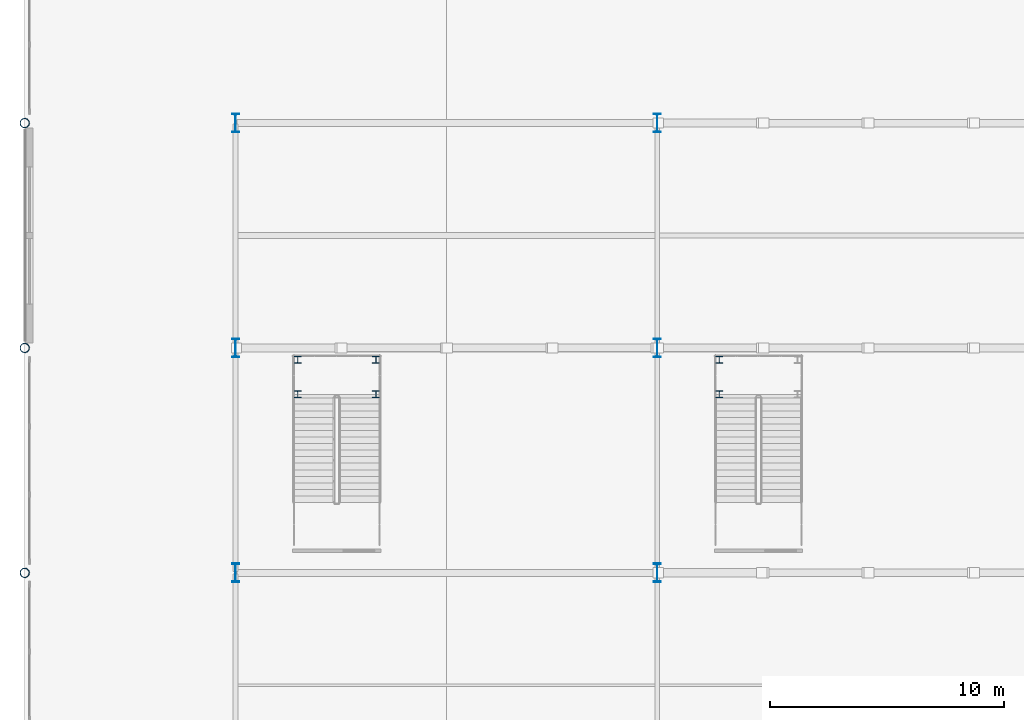
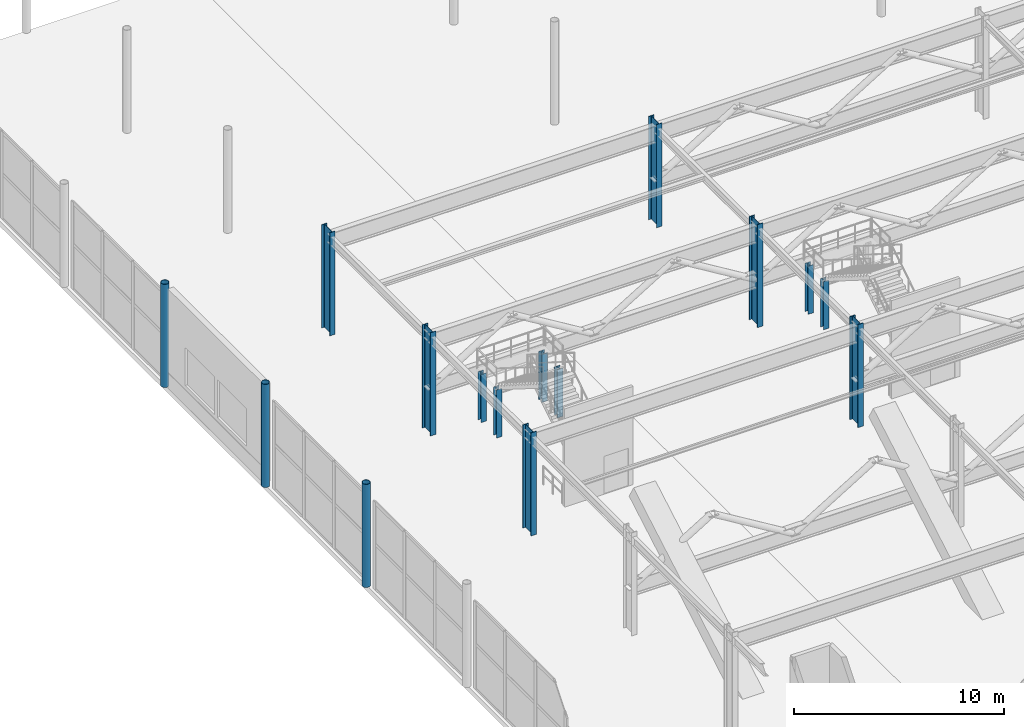
# One storey, part 10 of 113: 15 columns.
"""IFC4 building model written with IfcOpenShell, lengths in metres."""

from ifc_helpers import new_model, si_unit, direction, frame, origin, origin_2d, place, context, subcontext, project, spatial, hollow_circle, i_section, extrude, material, material_profile, profile_set, type_object, element, save


model = new_model("IFC4")

# Units and contexts
model_context = context("Model", 3, precision=1e-05, world=origin(), true_north=direction((0.0, 1.0)))
body_context = subcontext(model_context, "Body", "Model", "MODEL_VIEW")
ifc_project = project(units=[si_unit("LENGTHUNIT", "METRE"), si_unit("AREAUNIT", "SQUARE_METRE"), si_unit("VOLUMEUNIT", "CUBIC_METRE"), si_unit("PLANEANGLEUNIT", "RADIAN"), si_unit("MASSUNIT", "GRAM", prefix="KILO")], contexts=[model_context])

# Site, building, storey
site_placement = place(None, origin())
site = spatial("IfcSite", under=ifc_project, at=site_placement, CompositionType="ELEMENT")
building_placement = place(site_placement, origin())
building = spatial("IfcBuilding", under=site, at=building_placement, Name="Myrtia Square Station", CompositionType="ELEMENT")
storey_placement = place(building_placement, origin())
storey = spatial("IfcBuildingStorey", under=building, at=storey_placement, Name="L00", CompositionType="ELEMENT", Elevation=0.0)

# Columns
ifc_material = material(Name="Steel S355", Category="steel")
ifc_material_profile_1 = material_profile(ifc_material, hollow_circle(Radius=0.203125, WallThickness=0.02001953125, at=origin_2d()), Name="CHS 406.4x20")
ifc_profile_set_1 = profile_set([ifc_material_profile_1], Name="Steel S355")
column_type_1 = type_object("IfcColumnType", Name="COL-CHS406", PredefinedType="COLUMN", material=ifc_profile_set_1)
for number, where, z_axis, x_axis, name in (
    (1, (0.0, 67.199951171875, 0.0), (0.0, 0.0, 1.0), (1.0, 0.0, 0.0), "Column L00-0020"),
    (2, (0.0, 76.800048828125, 0.0), (0.0, 0.0, 1.0), (1.0, 0.0, 0.0), "Column L00-0023"),
    (3, (0.0, 86.39990234375, 0.0), (0.0, 0.0, 1.0), (1.0, 0.0, 0.0), "Column L00-0026"),
):
    element("IfcColumn", number, at=place(storey_placement, frame(where, z_axis=z_axis, x_axis=x_axis)), inside=storey, type_object=column_type_1, Name=name, PredefinedType="COLUMN", context=body_context, shape_type="SweptSolid", body=[
        extrude(hollow_circle(Radius=0.203125, WallThickness=0.02001953125, at=origin_2d()), origin(), (0.0, 0.0, 1.0), 6.0),
    ])
ifc_material_profile_2 = material_profile(ifc_material, i_section(OverallWidth=0.300048828125, OverallDepth=0.300048828125, WebThickness=0.010986328125, FlangeThickness=0.01904296875, FilletRadius=0.027099609375, at=origin_2d()), Name="HEB 300")
ifc_profile_set_2 = profile_set([ifc_material_profile_2], Name="Steel S355")
column_type_2 = type_object("IfcColumnType", Name="COL-HEB300", PredefinedType="COLUMN", material=ifc_profile_set_2)
for number, where, z_axis, x_axis, name in (
    (4, (11.64990234375, 76.300048828125, 0.0), (0.0, 0.0, 1.0), (1.0, 0.0, 0.0), "Interchange stair landing post 1-WN"),
    (5, (11.64990234375, 74.820068359375, 0.0), (0.0, 0.0, 1.0), (1.0, 0.0, 0.0), "Interchange stair landing post 1-WS"),
    (6, (14.989990234375, 76.300048828125, 0.0), (0.0, 0.0, 1.0), (1.0, 0.0, 0.0), "Interchange stair landing post 1-EN"),
    (7, (14.989990234375, 74.820068359375, 0.0), (0.0, 0.0, 1.0), (1.0, 0.0, 0.0), "Interchange stair landing post 1-ES"),
    (8, (29.64990234375, 76.300048828125, 0.0), (0.0, 0.0, 1.0), (1.0, 0.0, 0.0), "Interchange stair landing post 2-WN"),
    (9, (29.64990234375, 74.820068359375, 0.0), (0.0, 0.0, 1.0), (1.0, 0.0, 0.0), "Interchange stair landing post 2-WS"),
):
    element("IfcColumn", number, at=place(storey_placement, frame(where, z_axis=z_axis, x_axis=x_axis)), inside=storey, type_object=column_type_2, Name=name, PredefinedType="COLUMN", context=body_context, shape_type="SweptSolid", body=[
        extrude(i_section(OverallWidth=0.300048828125, OverallDepth=0.300048828125, WebThickness=0.010986328125, FlangeThickness=0.01904296875, FilletRadius=0.027099609375, at=origin_2d()), origin(), (0.0, 0.0, 1.0), 2.800048828125),
    ])
ifc_material_profile_3 = material_profile(ifc_material, i_section(OverallWidth=0.300048828125, OverallDepth=0.800048828125, WebThickness=0.017578125, FlangeThickness=0.032958984375, FilletRadius=0.030029296875, at=origin_2d()), Name="HEB 800")
ifc_profile_set_3 = profile_set([ifc_material_profile_3], Name="Steel S355")
column_type_3 = type_object("IfcColumnType", Name="COL-HEB800", PredefinedType="COLUMN", material=ifc_profile_set_3)
for number, where, z_axis, x_axis, name in (
    (10, (9.0, 67.199951171875, 0.0), (0.0, 0.0, 1.0), (1.0, 0.0, 0.0), "Column L00-0056"),
    (11, (9.0, 76.800048828125, 0.0), (0.0, 0.0, 1.0), (1.0, 0.0, 0.0), "Column L00-0059"),
    (12, (9.0, 86.39990234375, 0.0), (0.0, 0.0, 1.0), (1.0, 0.0, 0.0), "Column L00-0062"),
    (13, (27.0, 67.199951171875, 0.0), (0.0, 0.0, 1.0), (1.0, 0.0, 0.0), "Column L00-0095"),
    (14, (27.0, 76.800048828125, 0.0), (0.0, 0.0, 1.0), (1.0, 0.0, 0.0), "Column L00-0098"),
    (15, (27.0, 86.39990234375, 0.0), (0.0, 0.0, 1.0), (1.0, 0.0, 0.0), "Column L00-0101"),
):
    element("IfcColumn", number, at=place(storey_placement, frame(where, z_axis=z_axis, x_axis=x_axis)), inside=storey, type_object=column_type_3, Name=name, PredefinedType="COLUMN", context=body_context, shape_type="SweptSolid", body=[
        extrude(i_section(OverallWidth=0.300048828125, OverallDepth=0.800048828125, WebThickness=0.017578125, FlangeThickness=0.032958984375, FilletRadius=0.030029296875, at=origin_2d()), origin(), (0.0, 0.0, 1.0), 6.0),
    ])

save(model, "model.ifc")
